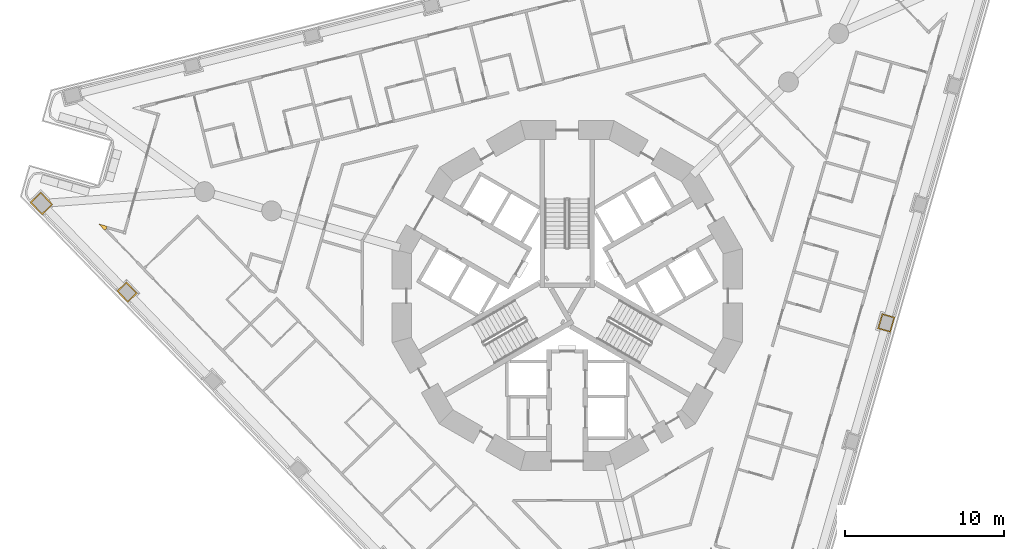
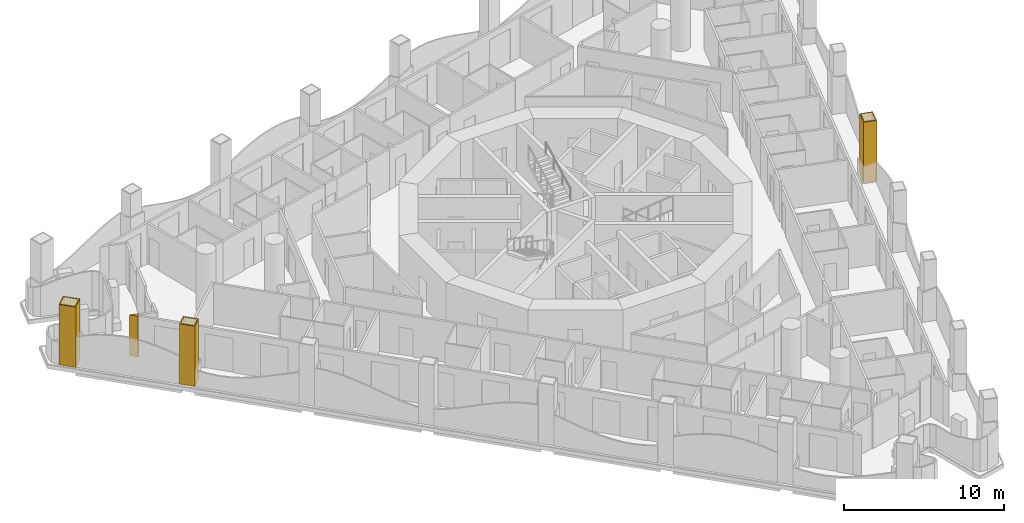
# One storey, part 16 of 20: 4 coverings.
"""IFC4 building model written with IfcOpenShell, lengths in metres."""

from ifc_helpers import new_model, si_unit, direction, frame, origin, place, context, subcontext, project, spatial, polyline, outline, extrude, material, layer, layer_set, type_object, element, save


model = new_model("IFC4")

# Units and contexts
model_context = context("Model", 3, precision=1e-05, world=origin(), true_north=direction((0.0, 1.0)))
body_context = subcontext(model_context, "Body", "Model", "MODEL_VIEW")
ifc_project = project(units=[si_unit("LENGTHUNIT", "METRE"), si_unit("AREAUNIT", "SQUARE_METRE"), si_unit("VOLUMEUNIT", "CUBIC_METRE"), si_unit("PLANEANGLEUNIT", "RADIAN"), si_unit("MASSUNIT", "GRAM", prefix="KILO")], contexts=[model_context])

# Site, building, storey
site_placement = place(None, origin())
site = spatial("IfcSite", under=ifc_project, at=site_placement, CompositionType="ELEMENT")
building_placement = place(site_placement, origin())
building = spatial("IfcBuilding", under=site, at=building_placement, Name="Trine Commons Tower", CompositionType="ELEMENT")
storey_placement = place(building_placement, frame((0.0, 0.0, 116.10009765625)))
storey = spatial("IfcBuildingStorey", under=building, at=storey_placement, Name="L29", CompositionType="ELEMENT", Elevation=116.10009765625)

# Coverings
ifc_material_1 = material(Name="Aluminium-framed insulated wall panel", Category="aluminium")
ifc_layer_1 = layer(ifc_material_1, 0.14990234375)
ifc_layer_set_1 = layer_set([ifc_layer_1], Name="Aluminium-framed insulated wall panel")
covering_type_1 = type_object("IfcCoveringType", Name="Glazing corner post, aluminium", PredefinedType="CLADDING", material=ifc_layer_set_1)
covering_1_placement = place(storey_placement, origin())
element("IfcCovering", 1, at=covering_1_placement, inside=storey, type_object=covering_type_1, Name="Glazing corner post 3-01", PredefinedType="CLADDING", context=body_context, shape_type="SweptSolid", body=[
    extrude(outline(polyline([(50.897216796875, 66.611083984375), (51.005126953125, 66.71533203125), (51.04638671875, 66.859619140625), (50.50830078125, 67.013916015625), (50.897216796875, 66.611083984375)])), origin(), (0.0, 0.0, 1.0), 3.099853515625),
])
ifc_material_2 = material(Name="Limestone, honed", Category="masonry")
ifc_layer_2 = layer(ifc_material_2, 0.074951171875)
ifc_layer_set_2 = layer_set([ifc_layer_2], Name="Limestone, honed")
covering_type_2 = type_object("IfcCoveringType", Name="Limestone column cladding 75", PredefinedType="CLADDING", material=ifc_layer_set_2)
covering_2_placement = place(storey_placement, origin())
element("IfcCovering", 2, at=covering_2_placement, inside=storey, type_object=covering_type_2, Name="Limestone pier cladding 3-07", PredefinedType="CLADDING", context=body_context, shape_type="SweptSolid", body=[
    extrude(outline(polyline([(52.265380859375, 63.373291015625), (51.654052734375, 62.78271484375), (52.3486328125, 62.0634765625), (52.960205078125, 62.65380859375), (52.265380859375, 63.373291015625)]), holes=[polyline([(52.263671875, 63.26708984375), (51.760009765625, 62.781005859375), (52.3505859375, 62.16943359375), (52.85400390625, 62.65576171875), (52.263671875, 63.26708984375)])]), origin(), (0.0, 0.0, 1.0), 4.58740234375),
])
covering_3_placement = place(storey_placement, origin())
element("IfcCovering", 3, at=covering_3_placement, inside=storey, type_object=covering_type_2, Name="Limestone pier cladding 3-08", PredefinedType="CLADDING", context=body_context, shape_type="SweptSolid", body=[
    extrude(outline(polyline([(46.877685546875, 69.0244140625), (46.194580078125, 68.364501953125), (46.95849609375, 67.572998046875), (47.641845703125, 68.23291015625), (46.877685546875, 69.0244140625)]), holes=[polyline([(46.8759765625, 68.918212890625), (46.300537109375, 68.362548828125), (46.96044921875, 67.67919921875), (47.535888671875, 68.23486328125), (46.8759765625, 68.918212890625)])]), origin(), (0.0, 0.0, 1.0), 4.58740234375),
])
covering_4_placement = place(storey_placement, origin())
element("IfcCovering", 4, at=covering_4_placement, inside=storey, type_object=covering_type_2, Name="Limestone pier cladding 3-20", PredefinedType="CLADDING", context=body_context, shape_type="SweptSolid", body=[
    extrude(outline(polyline([(100.61865234375, 61.14306640625), (99.801513671875, 61.377197265625), (99.52587890625, 60.416015625), (100.343017578125, 60.181640625), (100.61865234375, 61.14306640625)]), holes=[polyline([(100.52587890625, 61.091552734375), (99.85302734375, 61.284423828125), (99.61865234375, 60.46728515625), (100.29150390625, 60.2744140625), (100.52587890625, 61.091552734375)])]), origin(), (0.0, 0.0, 1.0), 4.58740234375),
])

save(model, "model.ifc")
